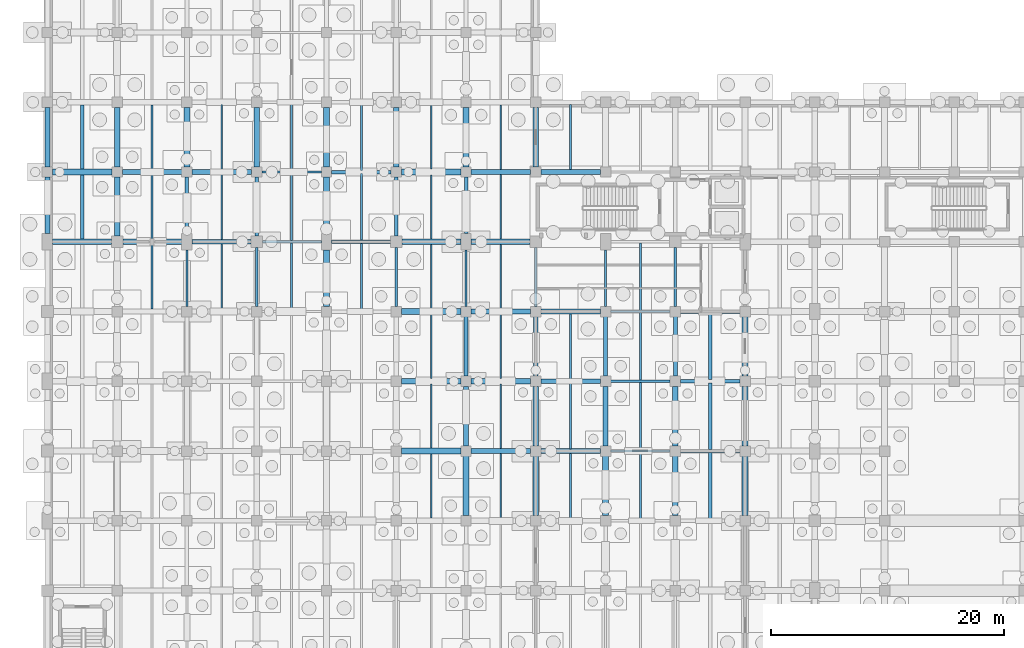
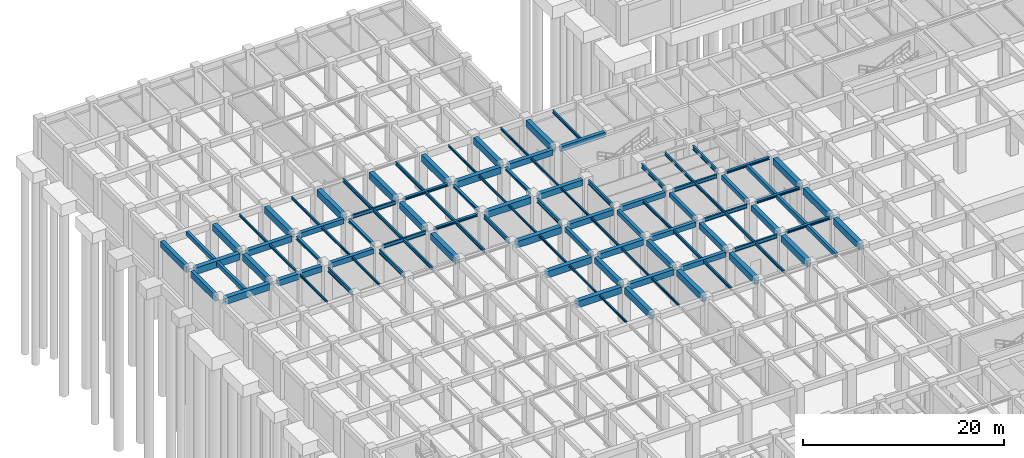
# One storey, part 30 of 54: 105 beams.
"""IFC4 building model written with IfcOpenShell, lengths in metres."""

from ifc_helpers import new_model, si_unit, direction, frame, origin, origin_2d, place, context, subcontext, project, spatial, rectangle, i_section, extrude, material, material_profile, profile_set, type_object, element, save


model = new_model("IFC4")

# Units and contexts
model_context = context("Model", 3, precision=1e-05, world=origin(), true_north=direction((0.0, 1.0)))
body_context = subcontext(model_context, "Body", "Model", "MODEL_VIEW")
ifc_project = project(units=[si_unit("LENGTHUNIT", "METRE"), si_unit("AREAUNIT", "SQUARE_METRE"), si_unit("VOLUMEUNIT", "CUBIC_METRE"), si_unit("PLANEANGLEUNIT", "RADIAN"), si_unit("MASSUNIT", "GRAM", prefix="KILO"), si_unit("THERMODYNAMICTEMPERATUREUNIT", "KELVIN"), si_unit("POWERUNIT", "WATT")], contexts=[model_context])

# Site, building, storey
site_placement = place(None, origin())
site = spatial("IfcSite", under=ifc_project, at=site_placement, CompositionType="ELEMENT")
building_placement = place(site_placement, origin())
building = spatial("IfcBuilding", under=site, at=building_placement, Name="Phaisarnlok Congress Hotel", CompositionType="ELEMENT")
storey_placement = place(building_placement, frame((0.0, 0.0, -4.800048828125)))
storey = spatial("IfcBuildingStorey", under=building, at=storey_placement, Name="B01", CompositionType="ELEMENT", Elevation=-4.800048828125)

# Beams
ifc_material_1 = material(Name="Concrete C40/50", Category="concrete")
ifc_material_profile_1 = material_profile(ifc_material_1, rectangle(XDim=0.35009765625, YDim=0.550048828125, at=origin_2d()), Name="RC 350x550")
ifc_profile_set_1 = profile_set([ifc_material_profile_1], Name="Concrete C40/50")
beam_type_1 = type_object("IfcBeamType", Name="BM-RC-350x550", PredefinedType="BEAM", material=ifc_profile_set_1)
for number, where, z_axis, x_axis, name in (
    (1, (36.0, 72.445068359375, 4.22509765625), (0.0, 1.0, 0.0), (-1.0, 0.0, 0.0), "Beam B-01"),
    (2, (42.0, 72.445068359375, 4.22509765625), (0.0, 1.0, 0.0), (-1.0, 0.0, 0.0), "Beam B-01"),
    (3, (48.0, 72.445068359375, 4.22509765625), (0.0, 1.0, 0.0), (-1.0, 0.0, 0.0), "Beam B-01"),
    (4, (54.0, 72.445068359375, 4.22509765625), (0.0, 1.0, 0.0), (-1.0, 0.0, 0.0), "Beam B-01"),
):
    element("IfcBeam", number, at=place(storey_placement, frame(where, z_axis=z_axis, x_axis=x_axis)), inside=storey, type_object=beam_type_1, Name=name, PredefinedType="BEAM", context=body_context, shape_type="SweptSolid", body=[
        extrude(rectangle(XDim=0.35009765625, YDim=0.550048828125, at=origin_2d()), origin(), (0.0, 0.0, 1.0), 5.10986328125),
    ])
ifc_material_profile_2 = material_profile(ifc_material_1, rectangle(XDim=0.39990234375, YDim=0.60009765625, at=origin_2d()), Name="RC 400x600")
ifc_profile_set_2 = profile_set([ifc_material_profile_2], Name="Concrete C40/50")
beam_type_2 = type_object("IfcBeamType", Name="BM-RC-400x600", PredefinedType="BEAM", material=ifc_profile_set_2)
beam_1_placement = place(storey_placement, frame((12.445068359375, 84.0, 4.199951171875), z_axis=(1.0, 0.0, 0.0), x_axis=(0.0, 1.0, 0.0)))
element("IfcBeam", 5, at=beam_1_placement, inside=storey, type_object=beam_type_2, Name="Beam B-02", PredefinedType="BEAM", context=body_context, shape_type="SweptSolid", body=[
    extrude(rectangle(XDim=0.39990234375, YDim=0.60009765625, at=origin_2d()), origin(), (0.0, 0.0, 1.0), 5.059814453125),
])
for number, where, z_axis, x_axis, name in (
    (6, (12.445068359375, 90.0, 4.199951171875), (1.0, 0.0, 0.0), (0.0, 1.0, 0.0), "Beam B-02"),
    (7, (42.445068359375, 66.0, 4.199951171875), (1.0, 0.0, 0.0), (0.0, 1.0, 0.0), "Beam B-02"),
    (8, (42.445068359375, 72.0, 4.199951171875), (1.0, 0.0, 0.0), (0.0, 1.0, 0.0), "Beam B-02"),
    (9, (42.445068359375, 78.0, 4.199951171875), (1.0, 0.0, 0.0), (0.0, 1.0, 0.0), "Beam B-02"),
    (10, (42.445068359375, 90.0, 4.199951171875), (1.0, 0.0, 0.0), (0.0, 1.0, 0.0), "Beam B-02"),
):
    element("IfcBeam", number, at=place(storey_placement, frame(where, z_axis=z_axis, x_axis=x_axis)), inside=storey, type_object=beam_type_2, Name=name, PredefinedType="BEAM", context=body_context, shape_type="SweptSolid", body=[
        extrude(rectangle(XDim=0.39990234375, YDim=0.60009765625, at=origin_2d()), origin(), (0.0, 0.0, 1.0), 5.10986328125),
    ])
ifc_material_profile_3 = material_profile(ifc_material_1, rectangle(XDim=0.449951171875, YDim=0.699951171875, at=origin_2d()), Name="RC 450x700")
ifc_profile_set_3 = profile_set([ifc_material_profile_3], Name="Concrete C40/50")
beam_type_3 = type_object("IfcBeamType", Name="BM-RC-450x700", PredefinedType="BEAM", material=ifc_profile_set_3)
beam_2_placement = place(storey_placement, frame((6.4951171875, 84.0, 4.150146484375), z_axis=(1.0, 0.0, 0.0), x_axis=(0.0, 1.0, 0.0)))
element("IfcBeam", 11, at=beam_2_placement, inside=storey, type_object=beam_type_3, Name="Beam B-03", PredefinedType="BEAM", context=body_context, shape_type="SweptSolid", body=[
    extrude(rectangle(XDim=0.449951171875, YDim=0.699951171875, at=origin_2d()), origin(), (0.0, 0.0, 1.0), 5.059814453125),
])
for number, where, z_axis, x_axis, name in (
    (12, (6.445068359375, 90.0, 4.150146484375), (1.0, 0.0, 0.0), (0.0, 1.0, 0.0), "Beam B-03"),
    (13, (36.445068359375, 66.0, 4.150146484375), (1.0, 0.0, 0.0), (0.0, 1.0, 0.0), "Beam B-03"),
    (14, (36.0, 66.445068359375, 4.150146484375), (0.0, 1.0, 0.0), (-1.0, 0.0, 0.0), "Beam B-03"),
    (15, (36.445068359375, 72.0, 4.150146484375), (1.0, 0.0, 0.0), (0.0, 1.0, 0.0), "Beam B-03"),
    (16, (36.445068359375, 78.0, 4.150146484375), (1.0, 0.0, 0.0), (0.0, 1.0, 0.0), "Beam B-03"),
):
    element("IfcBeam", number, at=place(storey_placement, frame(where, z_axis=z_axis, x_axis=x_axis)), inside=storey, type_object=beam_type_3, Name=name, PredefinedType="BEAM", context=body_context, shape_type="SweptSolid", body=[
        extrude(rectangle(XDim=0.449951171875, YDim=0.699951171875, at=origin_2d()), origin(), (0.0, 0.0, 1.0), 5.10986328125),
    ])
beam_3_placement = place(storey_placement, frame((36.445068359375, 84.0, 4.150146484375), z_axis=(1.0, 0.0, 0.0), x_axis=(0.0, 1.0, 0.0)))
element("IfcBeam", 17, at=beam_3_placement, inside=storey, type_object=beam_type_3, Name="Beam B-03", PredefinedType="BEAM", context=body_context, shape_type="SweptSolid", body=[
    extrude(rectangle(XDim=0.449951171875, YDim=0.699951171875, at=origin_2d()), origin(), (0.0, 0.0, 1.0), 5.059814453125),
])
for number, where, z_axis, x_axis, name in (
    (18, (36.445068359375, 90.0, 4.150146484375), (1.0, 0.0, 0.0), (0.0, 1.0, 0.0), "Beam B-03"),
    (19, (42.0, 66.445068359375, 4.150146484375), (0.0, 1.0, 0.0), (-1.0, 0.0, 0.0), "Beam B-03"),
    (20, (48.0, 66.445068359375, 4.150146484375), (0.0, 1.0, 0.0), (-1.0, 0.0, 0.0), "Beam B-03"),
    (21, (54.0, 66.445068359375, 4.150146484375), (0.0, 1.0, 0.0), (-1.0, 0.0, 0.0), "Beam B-03"),
):
    element("IfcBeam", number, at=place(storey_placement, frame(where, z_axis=z_axis, x_axis=x_axis)), inside=storey, type_object=beam_type_3, Name=name, PredefinedType="BEAM", context=body_context, shape_type="SweptSolid", body=[
        extrude(rectangle(XDim=0.449951171875, YDim=0.699951171875, at=origin_2d()), origin(), (0.0, 0.0, 1.0), 5.10986328125),
    ])
ifc_material_profile_4 = material_profile(ifc_material_1, rectangle(XDim=0.5, YDim=0.800048828125, at=origin_2d()), Name="RC 500x800")
ifc_profile_set_4 = profile_set([ifc_material_profile_4], Name="Concrete C40/50")
beam_type_4 = type_object("IfcBeamType", Name="BM-RC-500x800", PredefinedType="BEAM", material=ifc_profile_set_4)
beam_4_placement = place(storey_placement, frame((0.445068359375, 84.0, 4.10009765625), z_axis=(1.0, 0.0, 0.0), x_axis=(0.0, 1.0, 0.0)))
element("IfcBeam", 22, at=beam_4_placement, inside=storey, type_object=beam_type_4, Name="Beam B-04", PredefinedType="BEAM", context=body_context, shape_type="SweptSolid", body=[
    extrude(rectangle(XDim=0.5, YDim=0.800048828125, at=origin_2d()), origin(), (0.0, 0.0, 1.0), 5.059814453125),
])
beam_5_placement = place(storey_placement, frame((0.445068359375, 90.0, 4.10009765625), z_axis=(1.0, 0.0, 0.0), x_axis=(0.0, 1.0, 0.0)))
element("IfcBeam", 23, at=beam_5_placement, inside=storey, type_object=beam_type_4, Name="Beam B-04", PredefinedType="BEAM", context=body_context, shape_type="SweptSolid", body=[
    extrude(rectangle(XDim=0.5, YDim=0.800048828125, at=origin_2d()), origin(), (0.0, 0.0, 1.0), 5.10986328125),
])
beam_6_placement = place(storey_placement, frame((6.0, 84.4951171875, 4.10009765625), z_axis=(0.0, 1.0, 0.0), x_axis=(-1.0, 0.0, 0.0)))
element("IfcBeam", 24, at=beam_6_placement, inside=storey, type_object=beam_type_4, Name="Beam B-04", PredefinedType="BEAM", context=body_context, shape_type="SweptSolid", body=[
    extrude(rectangle(XDim=0.5, YDim=0.800048828125, at=origin_2d()), origin(), (0.0, 0.0, 1.0), 5.059814453125),
])
for number, where, z_axis, x_axis, name in (
    (25, (6.0, 90.445068359375, 4.10009765625), (0.0, 1.0, 0.0), (-1.0, 0.0, 0.0), "Beam B-04"),
    (26, (12.0, 90.445068359375, 4.10009765625), (0.0, 1.0, 0.0), (-1.0, 0.0, 0.0), "Beam B-04"),
    (27, (18.0, 90.445068359375, 4.10009765625), (0.0, 1.0, 0.0), (-1.0, 0.0, 0.0), "Beam B-04"),
):
    element("IfcBeam", number, at=place(storey_placement, frame(where, z_axis=z_axis, x_axis=x_axis)), inside=storey, type_object=beam_type_4, Name=name, PredefinedType="BEAM", context=body_context, shape_type="SweptSolid", body=[
        extrude(rectangle(XDim=0.5, YDim=0.800048828125, at=origin_2d()), origin(), (0.0, 0.0, 1.0), 5.10986328125),
    ])
for number, where, z_axis, x_axis, name in (
    (28, (24.0, 78.445068359375, 4.10009765625), (0.0, 1.0, 0.0), (-1.0, 0.0, 0.0), "Beam B-04"),
    (29, (24.0, 84.695068359375, 4.10009765625), (0.0, 1.0, 0.0), (-1.0, 0.0, 0.0), "Beam B-04"),
):
    element("IfcBeam", number, at=place(storey_placement, frame(where, z_axis=z_axis, x_axis=x_axis)), inside=storey, type_object=beam_type_4, Name=name, PredefinedType="BEAM", context=body_context, shape_type="SweptSolid", body=[
        extrude(rectangle(XDim=0.5, YDim=0.800048828125, at=origin_2d()), origin(), (0.0, 0.0, 1.0), 4.85986328125),
    ])
for number, where, z_axis, x_axis, name in (
    (30, (24.0, 90.445068359375, 4.10009765625), (0.0, 1.0, 0.0), (-1.0, 0.0, 0.0), "Beam B-04"),
    (31, (30.445068359375, 66.0, 4.10009765625), (1.0, 0.0, 0.0), (0.0, 1.0, 0.0), "Beam B-04"),
    (32, (30.445068359375, 72.0, 4.10009765625), (1.0, 0.0, 0.0), (0.0, 1.0, 0.0), "Beam B-04"),
    (33, (30.445068359375, 78.0, 4.10009765625), (1.0, 0.0, 0.0), (0.0, 1.0, 0.0), "Beam B-04"),
):
    element("IfcBeam", number, at=place(storey_placement, frame(where, z_axis=z_axis, x_axis=x_axis)), inside=storey, type_object=beam_type_4, Name=name, PredefinedType="BEAM", context=body_context, shape_type="SweptSolid", body=[
        extrude(rectangle(XDim=0.5, YDim=0.800048828125, at=origin_2d()), origin(), (0.0, 0.0, 1.0), 5.10986328125),
    ])
beam_7_placement = place(storey_placement, frame((30.4951171875, 84.0, 4.10009765625), z_axis=(1.0, 0.0, 0.0), x_axis=(0.0, 1.0, 0.0)))
element("IfcBeam", 34, at=beam_7_placement, inside=storey, type_object=beam_type_4, Name="Beam B-04", PredefinedType="BEAM", context=body_context, shape_type="SweptSolid", body=[
    extrude(rectangle(XDim=0.5, YDim=0.800048828125, at=origin_2d()), origin(), (0.0, 0.0, 1.0), 5.059814453125),
])
for number, where, z_axis, x_axis, name in (
    (35, (30.445068359375, 90.0, 4.10009765625), (1.0, 0.0, 0.0), (0.0, 1.0, 0.0), "Beam B-04"),
    (36, (30.0, 90.445068359375, 4.10009765625), (0.0, 1.0, 0.0), (-1.0, 0.0, 0.0), "Beam B-04"),
    (37, (36.0, 60.445068359375, 4.10009765625), (0.0, 1.0, 0.0), (-1.0, 0.0, 0.0), "Beam B-04"),
    (38, (36.0, 90.445068359375, 4.10009765625), (0.0, 1.0, 0.0), (-1.0, 0.0, 0.0), "Beam B-04"),
    (39, (42.0, 60.445068359375, 4.10009765625), (0.0, 1.0, 0.0), (-1.0, 0.0, 0.0), "Beam B-04"),
    (40, (42.0, 90.445068359375, 4.10009765625), (0.0, 1.0, 0.0), (-1.0, 0.0, 0.0), "Beam B-04"),
    (41, (48.0, 60.445068359375, 4.10009765625), (0.0, 1.0, 0.0), (-1.0, 0.0, 0.0), "Beam B-04"),
    (42, (54.0, 60.445068359375, 4.10009765625), (0.0, 1.0, 0.0), (-1.0, 0.0, 0.0), "Beam B-04"),
    (43, (60.0, 60.445068359375, 4.10009765625), (0.0, 1.0, 0.0), (-1.0, 0.0, 0.0), "Beam B-04"),
    (44, (60.0, 66.445068359375, 4.10009765625), (0.0, 1.0, 0.0), (-1.0, 0.0, 0.0), "Beam B-04"),
    (45, (60.0, 72.445068359375, 4.10009765625), (0.0, 1.0, 0.0), (-1.0, 0.0, 0.0), "Beam B-04"),
):
    element("IfcBeam", number, at=place(storey_placement, frame(where, z_axis=z_axis, x_axis=x_axis)), inside=storey, type_object=beam_type_4, Name=name, PredefinedType="BEAM", context=body_context, shape_type="SweptSolid", body=[
        extrude(rectangle(XDim=0.5, YDim=0.800048828125, at=origin_2d()), origin(), (0.0, 0.0, 1.0), 5.10986328125),
    ])
ifc_material_2 = material(Name="Steel S355", Category="steel")
ifc_material_profile_5 = material_profile(ifc_material_2, i_section(OverallWidth=0.300048828125, OverallDepth=0.2900390625, WebThickness=0.008544921875, FlangeThickness=0.013916015625, FilletRadius=0.027099609375, at=origin_2d()), Name="HEA 300")
ifc_profile_set_5 = profile_set([ifc_material_profile_5], Name="Steel S355")
beam_type_5 = type_object("IfcBeamType", Name="BM-STL-HEA300", PredefinedType="BEAM", material=ifc_profile_set_5)
beam_8_placement = place(storey_placement, frame((24.445068359375, 84.0, 4.35498046875), z_axis=(1.0, 0.0, 0.0), x_axis=(0.0, 1.0, 0.0)))
element("IfcBeam", 46, at=beam_8_placement, inside=storey, type_object=beam_type_5, Name="Beam SB-05", PredefinedType="BEAM", context=body_context, shape_type="SweptSolid", body=[
    extrude(i_section(OverallWidth=0.300048828125, OverallDepth=0.2900390625, WebThickness=0.008544921875, FlangeThickness=0.013916015625, FilletRadius=0.027099609375, at=origin_2d()), origin(), (0.0, 0.0, 1.0), 5.059814453125),
])
for number, where, z_axis, x_axis, name in (
    (47, (24.445068359375, 90.0, 4.35498046875), (1.0, 0.0, 0.0), (0.0, 1.0, 0.0), "Beam SB-05"),
    (48, (54.445068359375, 66.0, 4.35498046875), (1.0, 0.0, 0.0), (0.0, 1.0, 0.0), "Beam SB-05"),
    (49, (54.445068359375, 72.0, 4.35498046875), (1.0, 0.0, 0.0), (0.0, 1.0, 0.0), "Beam SB-05"),
    (50, (54.445068359375, 78.0, 4.35498046875), (1.0, 0.0, 0.0), (0.0, 1.0, 0.0), "Beam SB-05"),
):
    element("IfcBeam", number, at=place(storey_placement, frame(where, z_axis=z_axis, x_axis=x_axis)), inside=storey, type_object=beam_type_5, Name=name, PredefinedType="BEAM", context=body_context, shape_type="SweptSolid", body=[
        extrude(i_section(OverallWidth=0.300048828125, OverallDepth=0.2900390625, WebThickness=0.008544921875, FlangeThickness=0.013916015625, FilletRadius=0.027099609375, at=origin_2d()), origin(), (0.0, 0.0, 1.0), 5.10986328125),
    ])
ifc_material_profile_6 = material_profile(ifc_material_2, i_section(OverallWidth=0.300048828125, OverallDepth=0.340087890625, WebThickness=0.011962890625, FlangeThickness=0.021484375, FilletRadius=0.027099609375, at=origin_2d()), Name="HEB 340")
ifc_profile_set_6 = profile_set([ifc_material_profile_6], Name="Steel S355")
beam_type_6 = type_object("IfcBeamType", Name="BM-STL-HEB340", PredefinedType="BEAM", material=ifc_profile_set_6)
beam_9_placement = place(storey_placement, frame((12.0, 84.695068359375, 4.330078125), z_axis=(0.0, 1.0, 0.0), x_axis=(-1.0, 0.0, 0.0)))
element("IfcBeam", 51, at=beam_9_placement, inside=storey, type_object=beam_type_6, Name="Beam SB-07", PredefinedType="BEAM", context=body_context, shape_type="SweptSolid", body=[
    extrude(i_section(OverallWidth=0.300048828125, OverallDepth=0.340087890625, WebThickness=0.011962890625, FlangeThickness=0.021484375, FilletRadius=0.027099609375, at=origin_2d()), origin(), (0.0, 0.0, 1.0), 4.85986328125),
])
for number, where, z_axis, x_axis, name in (
    (52, (18.0, 84.4951171875, 4.330078125), (0.0, 1.0, 0.0), (-1.0, 0.0, 0.0), "Beam SB-07"),
    (53, (30.0, 84.4951171875, 4.330078125), (0.0, 1.0, 0.0), (-1.0, 0.0, 0.0), "Beam SB-07"),
):
    element("IfcBeam", number, at=place(storey_placement, frame(where, z_axis=z_axis, x_axis=x_axis)), inside=storey, type_object=beam_type_6, Name=name, PredefinedType="BEAM", context=body_context, shape_type="SweptSolid", body=[
        extrude(i_section(OverallWidth=0.300048828125, OverallDepth=0.340087890625, WebThickness=0.011962890625, FlangeThickness=0.021484375, FilletRadius=0.027099609375, at=origin_2d()), origin(), (0.0, 0.0, 1.0), 5.059814453125),
    ])
beam_10_placement = place(storey_placement, frame((36.0, 84.695068359375, 4.330078125), z_axis=(0.0, 1.0, 0.0), x_axis=(-1.0, 0.0, 0.0)))
element("IfcBeam", 54, at=beam_10_placement, inside=storey, type_object=beam_type_6, Name="Beam SB-07", PredefinedType="BEAM", context=body_context, shape_type="SweptSolid", body=[
    extrude(i_section(OverallWidth=0.300048828125, OverallDepth=0.340087890625, WebThickness=0.011962890625, FlangeThickness=0.021484375, FilletRadius=0.027099609375, at=origin_2d()), origin(), (0.0, 0.0, 1.0), 4.85986328125),
])
ifc_material_profile_7 = material_profile(ifc_material_2, i_section(OverallWidth=0.18994140625, OverallDepth=0.449951171875, WebThickness=0.009521484375, FlangeThickness=0.0146484375, FilletRadius=0.02099609375, at=origin_2d()), Name="IPE 450")
ifc_profile_set_7 = profile_set([ifc_material_profile_7], Name="Steel S355")
beam_type_7 = type_object("IfcBeamType", Name="BM-STL-IPE450", PredefinedType="BEAM", material=ifc_profile_set_7)
beam_11_placement = place(storey_placement, frame((18.4951171875, 84.0, 4.275146484375), z_axis=(1.0, 0.0, 0.0), x_axis=(0.0, 1.0, 0.0)))
element("IfcBeam", 55, at=beam_11_placement, inside=storey, type_object=beam_type_7, Name="Beam SB-01", PredefinedType="BEAM", context=body_context, shape_type="SweptSolid", body=[
    extrude(i_section(OverallWidth=0.18994140625, OverallDepth=0.449951171875, WebThickness=0.009521484375, FlangeThickness=0.0146484375, FilletRadius=0.02099609375, at=origin_2d()), origin(), (0.0, 0.0, 1.0), 5.059814453125),
])
for number, where, z_axis, x_axis, name in (
    (56, (18.445068359375, 90.0, 4.275146484375), (1.0, 0.0, 0.0), (0.0, 1.0, 0.0), "Beam SB-01"),
    (57, (48.445068359375, 66.0, 4.275146484375), (1.0, 0.0, 0.0), (0.0, 1.0, 0.0), "Beam SB-01"),
    (58, (48.445068359375, 72.0, 4.275146484375), (1.0, 0.0, 0.0), (0.0, 1.0, 0.0), "Beam SB-01"),
    (59, (48.445068359375, 78.0, 4.275146484375), (1.0, 0.0, 0.0), (0.0, 1.0, 0.0), "Beam SB-01"),
):
    element("IfcBeam", number, at=place(storey_placement, frame(where, z_axis=z_axis, x_axis=x_axis)), inside=storey, type_object=beam_type_7, Name=name, PredefinedType="BEAM", context=body_context, shape_type="SweptSolid", body=[
        extrude(i_section(OverallWidth=0.18994140625, OverallDepth=0.449951171875, WebThickness=0.009521484375, FlangeThickness=0.0146484375, FilletRadius=0.02099609375, at=origin_2d()), origin(), (0.0, 0.0, 1.0), 5.10986328125),
    ])
ifc_material_profile_8 = material_profile(ifc_material_2, i_section(OverallWidth=0.199951171875, OverallDepth=0.5, WebThickness=0.01025390625, FlangeThickness=0.01611328125, FilletRadius=0.02099609375, at=origin_2d()), Name="IPE 500")
ifc_profile_set_8 = profile_set([ifc_material_profile_8], Name="Steel S355")
beam_type_8 = type_object("IfcBeamType", Name="BM-STL-IPE500", PredefinedType="BEAM", material=ifc_profile_set_8)
beam_12_placement = place(storey_placement, frame((12.0, 78.445068359375, 4.25), z_axis=(0.0, 1.0, 0.0), x_axis=(-1.0, 0.0, 0.0)))
element("IfcBeam", 60, at=beam_12_placement, inside=storey, type_object=beam_type_8, Name="Beam SB-02", PredefinedType="BEAM", context=body_context, shape_type="SweptSolid", body=[
    extrude(i_section(OverallWidth=0.199951171875, OverallDepth=0.5, WebThickness=0.01025390625, FlangeThickness=0.01611328125, FilletRadius=0.02099609375, at=origin_2d()), origin(), (0.0, 0.0, 1.0), 4.85986328125),
])
for number, where, z_axis, x_axis, name in (
    (61, (18.0, 78.445068359375, 4.25), (0.0, 1.0, 0.0), (-1.0, 0.0, 0.0), "Beam SB-02"),
    (62, (30.0, 78.445068359375, 4.25), (0.0, 1.0, 0.0), (-1.0, 0.0, 0.0), "Beam SB-02"),
):
    element("IfcBeam", number, at=place(storey_placement, frame(where, z_axis=z_axis, x_axis=x_axis)), inside=storey, type_object=beam_type_8, Name=name, PredefinedType="BEAM", context=body_context, shape_type="SweptSolid", body=[
        extrude(i_section(OverallWidth=0.199951171875, OverallDepth=0.5, WebThickness=0.01025390625, FlangeThickness=0.01611328125, FilletRadius=0.02099609375, at=origin_2d()), origin(), (0.0, 0.0, 1.0), 5.059814453125),
    ])
beam_13_placement = place(storey_placement, frame((36.0, 78.445068359375, 4.25), z_axis=(0.0, 1.0, 0.0), x_axis=(-1.0, 0.0, 0.0)))
element("IfcBeam", 63, at=beam_13_placement, inside=storey, type_object=beam_type_8, Name="Beam SB-02", PredefinedType="BEAM", context=body_context, shape_type="SweptSolid", body=[
    extrude(i_section(OverallWidth=0.199951171875, OverallDepth=0.5, WebThickness=0.01025390625, FlangeThickness=0.01611328125, FilletRadius=0.02099609375, at=origin_2d()), origin(), (0.0, 0.0, 1.0), 4.85986328125),
])
beam_14_placement = place(storey_placement, frame((42.0, 78.445068359375, 4.25), z_axis=(0.0, 1.0, 0.0), x_axis=(-1.0, 0.0, 0.0)))
element("IfcBeam", 64, at=beam_14_placement, inside=storey, type_object=beam_type_8, Name="Beam SB-02", PredefinedType="BEAM", context=body_context, shape_type="SweptSolid", body=[
    extrude(i_section(OverallWidth=0.199951171875, OverallDepth=0.5, WebThickness=0.01025390625, FlangeThickness=0.01611328125, FilletRadius=0.02099609375, at=origin_2d()), origin(), (0.0, 0.0, 1.0), 5.059814453125),
])
beam_15_placement = place(storey_placement, frame((48.0, 78.445068359375, 4.25), z_axis=(0.0, 1.0, 0.0), x_axis=(-1.0, 0.0, 0.0)))
element("IfcBeam", 65, at=beam_15_placement, inside=storey, type_object=beam_type_8, Name="Beam SB-02", PredefinedType="BEAM", context=body_context, shape_type="SweptSolid", body=[
    extrude(i_section(OverallWidth=0.199951171875, OverallDepth=0.5, WebThickness=0.01025390625, FlangeThickness=0.01611328125, FilletRadius=0.02099609375, at=origin_2d()), origin(), (0.0, 0.0, 1.0), 4.85986328125),
])
beam_16_placement = place(storey_placement, frame((54.0, 78.445068359375, 4.25), z_axis=(0.0, 1.0, 0.0), x_axis=(-1.0, 0.0, 0.0)))
element("IfcBeam", 66, at=beam_16_placement, inside=storey, type_object=beam_type_8, Name="Beam SB-02", PredefinedType="BEAM", context=body_context, shape_type="SweptSolid", body=[
    extrude(i_section(OverallWidth=0.199951171875, OverallDepth=0.5, WebThickness=0.01025390625, FlangeThickness=0.01611328125, FilletRadius=0.02099609375, at=origin_2d()), origin(), (0.0, 0.0, 1.0), 5.059814453125),
])
ifc_material_profile_9 = material_profile(ifc_material_1, rectangle(XDim=0.300048828125, YDim=0.5, at=origin_2d()), Name="RC 300x500")
ifc_profile_set_9 = profile_set([ifc_material_profile_9], Name="Concrete C40/50")
beam_type_9 = type_object("IfcBeamType", Name="JS-RC-300x500", PredefinedType="JOIST", material=ifc_profile_set_9)
for number, where, z_axis, x_axis, name in (
    (67, (3.0, 84.2451171875, 4.25), (0.0, 1.0, 0.0), (-1.0, 0.0, 0.0), "Secondary floor joist J-01"),
    (68, (3.0, 90.2451171875, 4.25), (0.0, 1.0, 0.0), (-1.0, 0.0, 0.0), "Secondary floor joist J-01"),
):
    element("IfcBeam", number, at=place(storey_placement, frame(where, z_axis=z_axis, x_axis=x_axis)), inside=storey, type_object=beam_type_9, Name=name, PredefinedType="JOIST", context=body_context, shape_type="SweptSolid", body=[
        extrude(rectangle(XDim=0.300048828125, YDim=0.5, at=origin_2d()), origin(), (0.0, 0.0, 1.0), 5.509765625),
    ])
for number, where, z_axis, x_axis, name in (
    (69, (57.0, 60.14501953125, 4.25), (0.0, 1.0, 0.0), (-1.0, 0.0, 0.0), "Secondary floor joist J-01"),
    (70, (57.0, 66.14501953125, 4.25), (0.0, 1.0, 0.0), (-1.0, 0.0, 0.0), "Secondary floor joist J-01"),
    (71, (57.0, 72.14501953125, 4.25), (0.0, 1.0, 0.0), (-1.0, 0.0, 0.0), "Secondary floor joist J-01"),
):
    element("IfcBeam", number, at=place(storey_placement, frame(where, z_axis=z_axis, x_axis=x_axis)), inside=storey, type_object=beam_type_9, Name=name, PredefinedType="JOIST", context=body_context, shape_type="SweptSolid", body=[
        extrude(rectangle(XDim=0.300048828125, YDim=0.5, at=origin_2d()), origin(), (0.0, 0.0, 1.0), 5.7099609375),
    ])
ifc_material_profile_10 = material_profile(ifc_material_2, i_section(OverallWidth=0.135009765625, OverallDepth=0.27001953125, WebThickness=0.006591796875, FlangeThickness=0.01025390625, FilletRadius=0.014892578125, at=origin_2d()), Name="IPE 270")
ifc_profile_set_10 = profile_set([ifc_material_profile_10], Name="Steel S355")
beam_type_10 = type_object("IfcBeamType", Name="JS-STL-IPE270", PredefinedType="JOIST", material=ifc_profile_set_10)
for number, where, z_axis, x_axis, name in (
    (72, (33.0, 60.2451171875, 4.364990234375), (0.0, 1.0, 0.0), (-1.0, 0.0, 0.0), "Secondary floor joist J-02"),
    (73, (33.0, 66.2451171875, 4.364990234375), (0.0, 1.0, 0.0), (-1.0, 0.0, 0.0), "Secondary floor joist J-02"),
    (74, (33.0, 72.2451171875, 4.364990234375), (0.0, 1.0, 0.0), (-1.0, 0.0, 0.0), "Secondary floor joist J-02"),
    (75, (33.0, 78.2451171875, 4.364990234375), (0.0, 1.0, 0.0), (-1.0, 0.0, 0.0), "Secondary floor joist J-02"),
    (76, (33.0, 84.2451171875, 4.364990234375), (0.0, 1.0, 0.0), (-1.0, 0.0, 0.0), "Secondary floor joist J-02"),
    (77, (33.0, 90.2451171875, 4.364990234375), (0.0, 1.0, 0.0), (-1.0, 0.0, 0.0), "Secondary floor joist J-02"),
):
    element("IfcBeam", number, at=place(storey_placement, frame(where, z_axis=z_axis, x_axis=x_axis)), inside=storey, type_object=beam_type_10, Name=name, PredefinedType="JOIST", context=body_context, shape_type="SweptSolid", body=[
        extrude(i_section(OverallWidth=0.135009765625, OverallDepth=0.27001953125, WebThickness=0.006591796875, FlangeThickness=0.01025390625, FilletRadius=0.014892578125, at=origin_2d()), origin(), (0.0, 0.0, 1.0), 5.509765625),
    ])
for number, where, z_axis, x_axis, name in (
    (78, (39.0, 60.219970703125, 4.364990234375), (0.0, 1.0, 0.0), (-1.0, 0.0, 0.0), "Secondary floor joist J-02"),
    (79, (39.0, 66.219970703125, 4.364990234375), (0.0, 1.0, 0.0), (-1.0, 0.0, 0.0), "Secondary floor joist J-02"),
    (80, (39.0, 72.219970703125, 4.364990234375), (0.0, 1.0, 0.0), (-1.0, 0.0, 0.0), "Secondary floor joist J-02"),
    (81, (39.0, 78.219970703125, 4.364990234375), (0.0, 1.0, 0.0), (-1.0, 0.0, 0.0), "Secondary floor joist J-02"),
    (82, (39.0, 84.219970703125, 4.364990234375), (0.0, 1.0, 0.0), (-1.0, 0.0, 0.0), "Secondary floor joist J-02"),
    (83, (39.0, 90.219970703125, 4.364990234375), (0.0, 1.0, 0.0), (-1.0, 0.0, 0.0), "Secondary floor joist J-02"),
):
    element("IfcBeam", number, at=place(storey_placement, frame(where, z_axis=z_axis, x_axis=x_axis)), inside=storey, type_object=beam_type_10, Name=name, PredefinedType="JOIST", context=body_context, shape_type="SweptSolid", body=[
        extrude(i_section(OverallWidth=0.135009765625, OverallDepth=0.27001953125, WebThickness=0.006591796875, FlangeThickness=0.01025390625, FilletRadius=0.014892578125, at=origin_2d()), origin(), (0.0, 0.0, 1.0), 5.56005859375),
    ])
ifc_material_profile_11 = material_profile(ifc_material_2, i_section(OverallWidth=0.14990234375, OverallDepth=0.300048828125, WebThickness=0.007080078125, FlangeThickness=0.0107421875, FilletRadius=0.014892578125, at=origin_2d()), Name="IPE 300")
ifc_profile_set_11 = profile_set([ifc_material_profile_11], Name="Steel S355")
beam_type_11 = type_object("IfcBeamType", Name="JS-STL-IPE300", PredefinedType="JOIST", material=ifc_profile_set_11)
for number, where, z_axis, x_axis, name in (
    (84, (9.0, 78.219970703125, 4.35009765625), (0.0, 1.0, 0.0), (-1.0, 0.0, 0.0), "Secondary floor joist J-03"),
    (85, (9.0, 84.219970703125, 4.35009765625), (0.0, 1.0, 0.0), (-1.0, 0.0, 0.0), "Secondary floor joist J-03"),
    (86, (9.0, 90.219970703125, 4.35009765625), (0.0, 1.0, 0.0), (-1.0, 0.0, 0.0), "Secondary floor joist J-03"),
):
    element("IfcBeam", number, at=place(storey_placement, frame(where, z_axis=z_axis, x_axis=x_axis)), inside=storey, type_object=beam_type_11, Name=name, PredefinedType="JOIST", context=body_context, shape_type="SweptSolid", body=[
        extrude(i_section(OverallWidth=0.14990234375, OverallDepth=0.300048828125, WebThickness=0.007080078125, FlangeThickness=0.0107421875, FilletRadius=0.014892578125, at=origin_2d()), origin(), (0.0, 0.0, 1.0), 5.56005859375),
    ])
for number, where, z_axis, x_axis, name in (
    (87, (15.0, 78.195068359375, 4.35009765625), (0.0, 1.0, 0.0), (-1.0, 0.0, 0.0), "Secondary floor joist J-03"),
    (88, (15.0, 84.195068359375, 4.35009765625), (0.0, 1.0, 0.0), (-1.0, 0.0, 0.0), "Secondary floor joist J-03"),
    (89, (15.0, 90.195068359375, 4.35009765625), (0.0, 1.0, 0.0), (-1.0, 0.0, 0.0), "Secondary floor joist J-03"),
):
    element("IfcBeam", number, at=place(storey_placement, frame(where, z_axis=z_axis, x_axis=x_axis)), inside=storey, type_object=beam_type_11, Name=name, PredefinedType="JOIST", context=body_context, shape_type="SweptSolid", body=[
        extrude(i_section(OverallWidth=0.14990234375, OverallDepth=0.300048828125, WebThickness=0.007080078125, FlangeThickness=0.0107421875, FilletRadius=0.014892578125, at=origin_2d()), origin(), (0.0, 0.0, 1.0), 5.60986328125),
    ])
ifc_material_profile_12 = material_profile(ifc_material_2, i_section(OverallWidth=0.169921875, OverallDepth=0.360107421875, WebThickness=0.008056640625, FlangeThickness=0.0126953125, FilletRadius=0.01806640625, at=origin_2d()), Name="IPE 360")
ifc_profile_set_12 = profile_set([ifc_material_profile_12], Name="Steel S355")
beam_type_12 = type_object("IfcBeamType", Name="JS-STL-IPE360", PredefinedType="JOIST", material=ifc_profile_set_12)
for number, where, z_axis, x_axis, name in (
    (90, (45.0, 60.195068359375, 4.320068359375), (0.0, 1.0, 0.0), (-1.0, 0.0, 0.0), "Secondary floor joist J-04"),
    (91, (45.0, 66.195068359375, 4.320068359375), (0.0, 1.0, 0.0), (-1.0, 0.0, 0.0), "Secondary floor joist J-04"),
    (92, (45.0, 72.195068359375, 4.320068359375), (0.0, 1.0, 0.0), (-1.0, 0.0, 0.0), "Secondary floor joist J-04"),
    (93, (45.0, 90.195068359375, 4.320068359375), (0.0, 1.0, 0.0), (-1.0, 0.0, 0.0), "Secondary floor joist J-04"),
):
    element("IfcBeam", number, at=place(storey_placement, frame(where, z_axis=z_axis, x_axis=x_axis)), inside=storey, type_object=beam_type_12, Name=name, PredefinedType="JOIST", context=body_context, shape_type="SweptSolid", body=[
        extrude(i_section(OverallWidth=0.169921875, OverallDepth=0.360107421875, WebThickness=0.008056640625, FlangeThickness=0.0126953125, FilletRadius=0.01806640625, at=origin_2d()), origin(), (0.0, 0.0, 1.0), 5.60986328125),
    ])
for number, where, z_axis, x_axis, name in (
    (94, (51.0, 60.090087890625, 4.320068359375), (0.0, 1.0, 0.0), (-1.0, 0.0, 0.0), "Secondary floor joist J-04"),
    (95, (51.0, 66.090087890625, 4.320068359375), (0.0, 1.0, 0.0), (-1.0, 0.0, 0.0), "Secondary floor joist J-04"),
    (96, (51.0, 72.090087890625, 4.320068359375), (0.0, 1.0, 0.0), (-1.0, 0.0, 0.0), "Secondary floor joist J-04"),
    (97, (51.0, 78.090087890625, 4.320068359375), (0.0, 1.0, 0.0), (-1.0, 0.0, 0.0), "Secondary floor joist J-04"),
):
    element("IfcBeam", number, at=place(storey_placement, frame(where, z_axis=z_axis, x_axis=x_axis)), inside=storey, type_object=beam_type_12, Name=name, PredefinedType="JOIST", context=body_context, shape_type="SweptSolid", body=[
        extrude(i_section(OverallWidth=0.169921875, OverallDepth=0.360107421875, WebThickness=0.008056640625, FlangeThickness=0.0126953125, FilletRadius=0.01806640625, at=origin_2d()), origin(), (0.0, 0.0, 1.0), 5.81982421875),
    ])
ifc_material_profile_13 = material_profile(ifc_material_2, i_section(OverallWidth=0.179931640625, OverallDepth=0.39990234375, WebThickness=0.008544921875, FlangeThickness=0.013427734375, FilletRadius=0.02099609375, at=origin_2d()), Name="IPE 400")
ifc_profile_set_13 = profile_set([ifc_material_profile_13], Name="Steel S355")
beam_type_13 = type_object("IfcBeamType", Name="JS-STL-IPE400", PredefinedType="JOIST", material=ifc_profile_set_13)
for number, where, z_axis, x_axis, name in (
    (98, (21.0, 78.090087890625, 4.300048828125), (0.0, 1.0, 0.0), (-1.0, 0.0, 0.0), "Secondary floor joist J-05"),
    (99, (21.0, 84.090087890625, 4.300048828125), (0.0, 1.0, 0.0), (-1.0, 0.0, 0.0), "Secondary floor joist J-05"),
    (100, (21.0, 90.090087890625, 4.300048828125), (0.0, 1.0, 0.0), (-1.0, 0.0, 0.0), "Secondary floor joist J-05"),
):
    element("IfcBeam", number, at=place(storey_placement, frame(where, z_axis=z_axis, x_axis=x_axis)), inside=storey, type_object=beam_type_13, Name=name, PredefinedType="JOIST", context=body_context, shape_type="SweptSolid", body=[
        extrude(i_section(OverallWidth=0.179931640625, OverallDepth=0.39990234375, WebThickness=0.008544921875, FlangeThickness=0.013427734375, FilletRadius=0.02099609375, at=origin_2d()), origin(), (0.0, 0.0, 1.0), 5.81982421875),
    ])
for number, where, z_axis, x_axis, name in (
    (101, (27.0, 78.14501953125, 4.300048828125), (0.0, 1.0, 0.0), (-1.0, 0.0, 0.0), "Secondary floor joist J-05"),
    (102, (27.0, 84.14501953125, 4.300048828125), (0.0, 1.0, 0.0), (-1.0, 0.0, 0.0), "Secondary floor joist J-05"),
    (103, (27.0, 90.14501953125, 4.300048828125), (0.0, 1.0, 0.0), (-1.0, 0.0, 0.0), "Secondary floor joist J-05"),
):
    element("IfcBeam", number, at=place(storey_placement, frame(where, z_axis=z_axis, x_axis=x_axis)), inside=storey, type_object=beam_type_13, Name=name, PredefinedType="JOIST", context=body_context, shape_type="SweptSolid", body=[
        extrude(i_section(OverallWidth=0.179931640625, OverallDepth=0.39990234375, WebThickness=0.008544921875, FlangeThickness=0.013427734375, FilletRadius=0.02099609375, at=origin_2d()), origin(), (0.0, 0.0, 1.0), 5.7099609375),
    ])
ifc_material_profile_14 = material_profile(ifc_material_1, rectangle(XDim=0.39990234375, YDim=0.75, at=origin_2d()), Name="RC 400x750")
ifc_profile_set_14 = profile_set([ifc_material_profile_14], Name="Concrete C40/50")
beam_type_14 = type_object("IfcBeamType", Name="SP-RC-400x750", PredefinedType="SPANDREL", material=ifc_profile_set_14)
beam_17_placement = place(storey_placement, frame((0.0, 84.695068359375, 4.125), z_axis=(0.0, 1.0, 0.0), x_axis=(-1.0, 0.0, 0.0)))
element("IfcBeam", 104, at=beam_17_placement, inside=storey, type_object=beam_type_14, Name="Beam SP-02", PredefinedType="SPANDREL", context=body_context, shape_type="SweptSolid", body=[
    extrude(rectangle(XDim=0.39990234375, YDim=0.75, at=origin_2d()), origin(), (0.0, 0.0, 1.0), 4.85986328125),
])
beam_18_placement = place(storey_placement, frame((0.0, 90.445068359375, 4.125), z_axis=(0.0, 1.0, 0.0), x_axis=(-1.0, 0.0, 0.0)))
element("IfcBeam", 105, at=beam_18_placement, inside=storey, type_object=beam_type_14, Name="Beam SP-02", PredefinedType="SPANDREL", context=body_context, shape_type="SweptSolid", body=[
    extrude(rectangle(XDim=0.39990234375, YDim=0.75, at=origin_2d()), origin(), (0.0, 0.0, 1.0), 5.10986328125),
])

save(model, "model.ifc")
